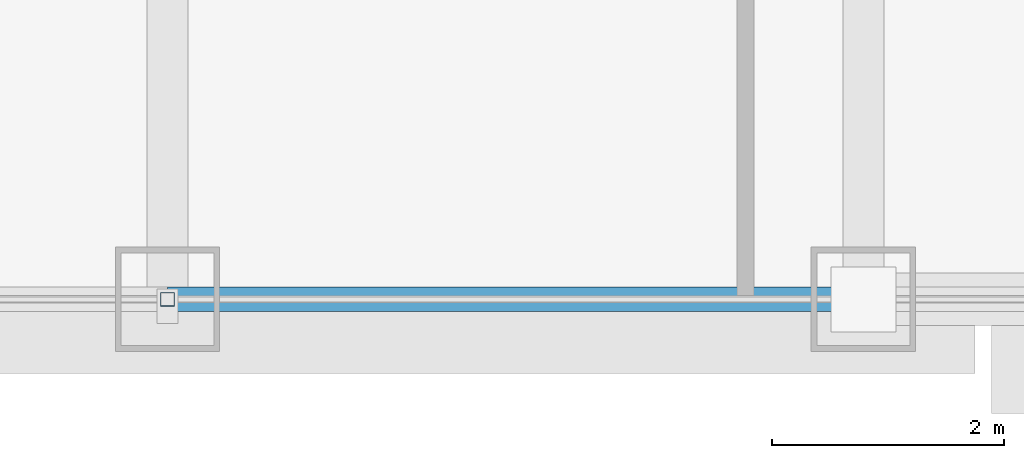
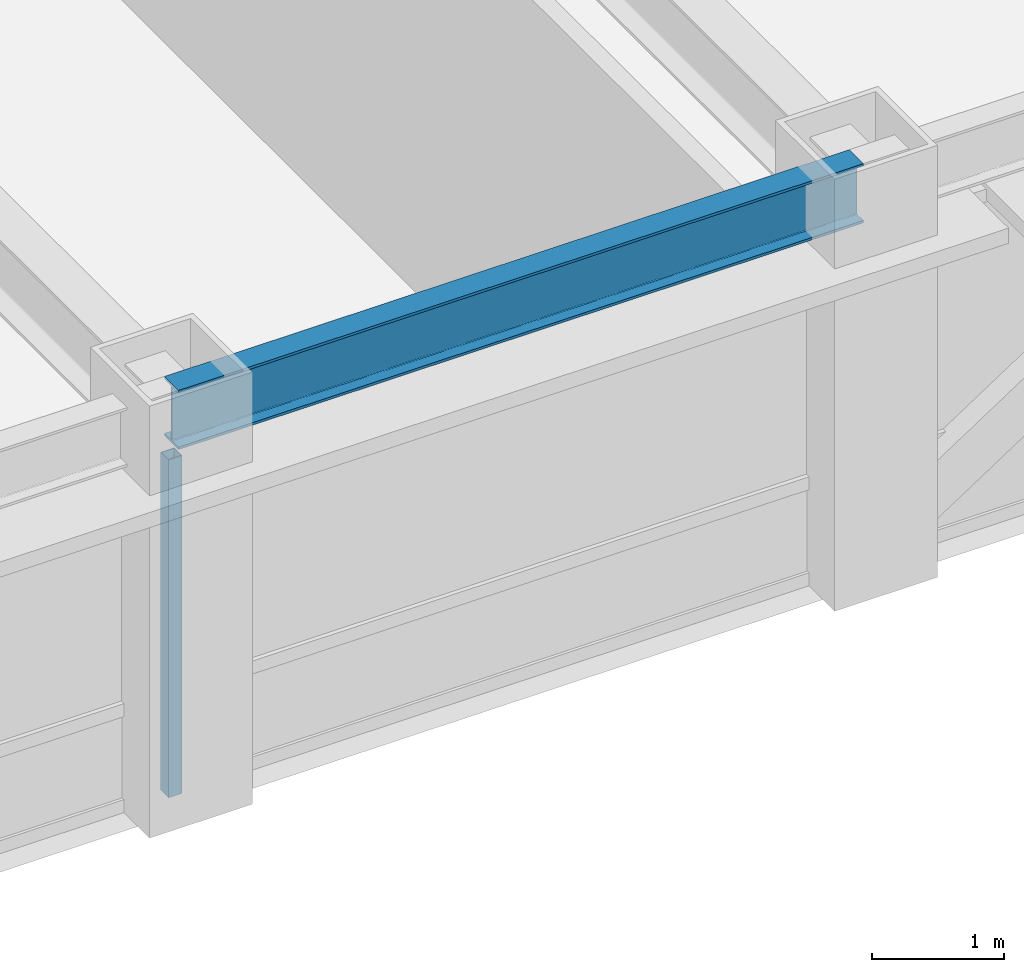
# One storey, part 4 of 27: 1 beam, 1 member, 1 element without a shape of its own.
"""IFC4 building model written with IfcOpenShell, lengths in metres."""

from ifc_helpers import new_model, si_unit, direction, frame, origin, origin_2d, place, context, subcontext, project, spatial, hollow_rectangle, i_section, extrude, source, transform, mapped, material, material_profile, profile_set, type_object, element, aggregate, save


model = new_model("IFC4")

# Units and contexts
model_context = context("Model", 3, precision=1e-05, world=origin(), true_north=direction((0.0, 1.0)))
body_context = subcontext(model_context, "Body", "Model", "MODEL_VIEW")
ifc_project = project(units=[si_unit("LENGTHUNIT", "METRE"), si_unit("AREAUNIT", "SQUARE_METRE"), si_unit("VOLUMEUNIT", "CUBIC_METRE"), si_unit("PLANEANGLEUNIT", "RADIAN"), si_unit("MASSUNIT", "GRAM", prefix="KILO")], contexts=[model_context])

# Site, building, storey
site_placement = place(None, origin())
site = spatial("IfcSite", under=ifc_project, at=site_placement, CompositionType="ELEMENT")
building_placement = place(site_placement, origin())
building = spatial("IfcBuilding", under=site, at=building_placement, Name="Khorayat Bourse Tower", CompositionType="ELEMENT")
storey_placement = place(building_placement, frame((0.0, 0.0, 313.5)))
storey = spatial("IfcBuildingStorey", under=building, at=storey_placement, Name="L74", CompositionType="ELEMENT", Elevation=313.5)

# Beam
ifc_material_1 = material(Name="Steel ASTM A992 Grade 50", Category="steel")
ifc_material_profile_1 = material_profile(ifc_material_1, i_section(OverallWidth=0.214111328125, OverallDepth=0.549072265625, WebThickness=0.0146484375, FlangeThickness=0.023681640625, FilletRadius=0.013916015625, at=origin_2d()), Name="W530X138")
ifc_profile_set_1 = profile_set([ifc_material_profile_1], Name="Steel ASTM A992 Grade 50")
beam_type = type_object("IfcBeamType", Name="BM-SPAN-530", PredefinedType="SPANDREL", material=ifc_profile_set_1)
shared_shape_1 = source(origin(), body_context, "Body", "SweptSolid", [
    extrude(i_section(OverallWidth=0.214111328125, OverallDepth=0.549072265625, WebThickness=0.0146484375, FlangeThickness=0.023681640625, FilletRadius=0.013916015625, at=origin_2d()), origin(), (0.0, 0.0, 1.0), 6.0),
])
beam_placement = place(storey_placement, frame((0.0, -28.0, 3.505615234375), z_axis=(1.0, 0.0, 0.0), x_axis=(0.0, 1.0, 0.0)))
element("IfcBeam", 1, at=beam_placement, inside=storey, type_object=beam_type, Name="L74 BM-SPAN-530 BM-L74-SPN-028", PredefinedType="SPANDREL", context=body_context, shape_type="MappedRepresentation", body=[
    mapped(shared_shape_1, transform((0.0, 0.0, 0.0), scale=1.0)),
])

# Curtain wall, member
ifc_material_2 = material(Name="Aluminium EN AW-6063 T6", Category="aluminium")
curtain_wall_type = type_object("IfcCurtainWallType", Name="CW-SYS-04", PredefinedType="NOTDEFINED", material=ifc_material_2)
curtain_wall_placement = place(storey_placement, origin())
curtain_wall = element("IfcCurtainWall", 2, at=curtain_wall_placement, inside=storey, type_object=curtain_wall_type, Name="L74 Curtain Wall CW-L74-S1", PredefinedType="NOTDEFINED")
ifc_material_profile_2 = material_profile(ifc_material_2, hollow_rectangle(XDim=0.1201171875, YDim=0.1201171875, WallThickness=0.0048828125, at=origin_2d()), Name="ALU 120x120x5")
ifc_profile_set_2 = profile_set([ifc_material_profile_2], Name="Aluminium EN AW-6063 T6")
member_type = type_object("IfcMemberType", Name="CWM-VERT-120", PredefinedType="MULLION", material=ifc_profile_set_2)
shared_shape_2 = source(origin(), body_context, "Body", "SweptSolid", [
    extrude(hollow_rectangle(XDim=0.1201171875, YDim=0.1201171875, WallThickness=0.0048828125, at=origin_2d()), origin(), (0.0, 0.0, 1.0), 3.1298828125),
])
member_placement = place(storey_placement, frame((0.0, -28.0, 0.0), z_axis=(0.0, 0.0, 1.0), x_axis=(0.0, 1.0, 0.0)))
member = element("IfcMember", 3, at=member_placement, type_object=member_type, Name="CW-L74-S1 Vertical Mullion 2", PredefinedType="MULLION", context=body_context, shape_type="MappedRepresentation", body=[
    mapped(shared_shape_2, transform((0.0, 0.0, 0.0), scale=1.0)),
])
aggregate(curtain_wall, [member])

save(model, "model.ifc")
